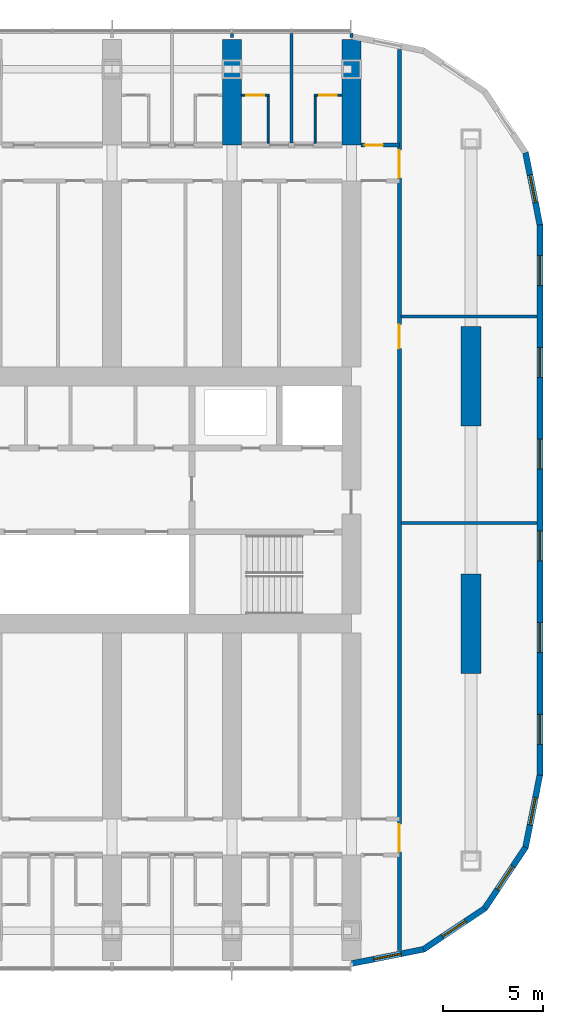
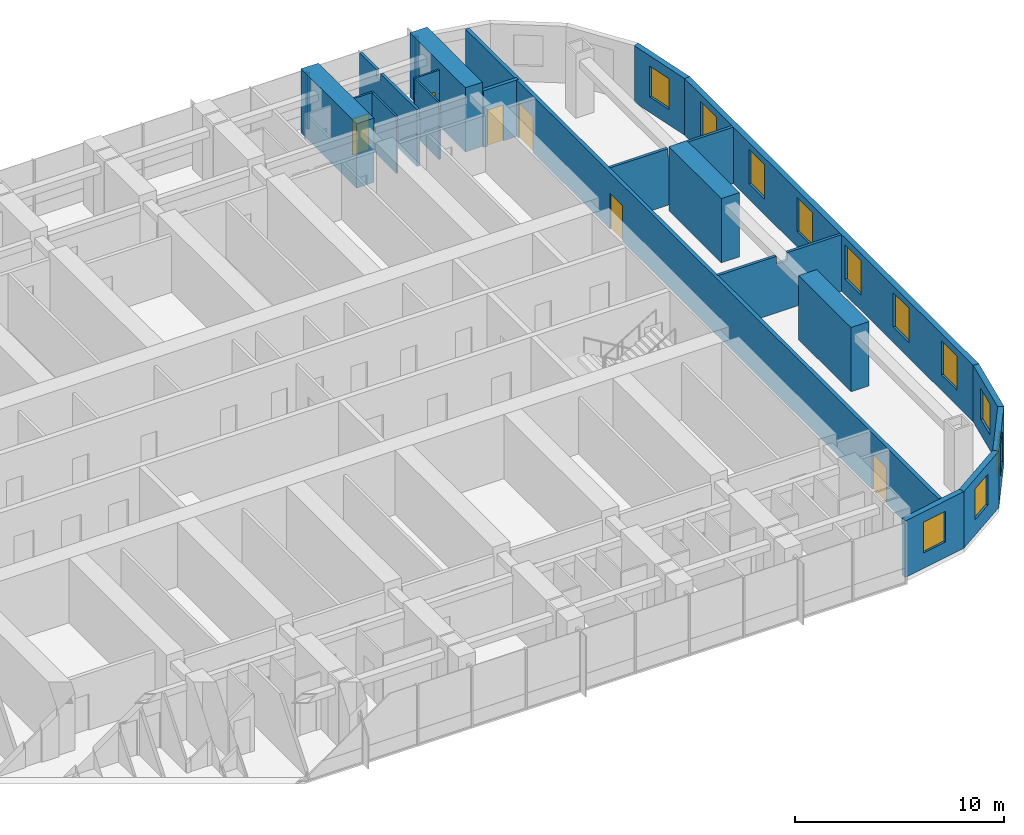
# One storey, part 16 of 22: 21 walls, 11 windows, 6 doors, 17 openings.
"""IFC4 building model written with IfcOpenShell, lengths in metres."""

from ifc_helpers import new_model, si_unit, direction, frame, frame_2d, origin, place, context, subcontext, project, spatial, polyline, rectangle, outline, extrude, material, layer, layer_set, type_object, element, fill, save


model = new_model("IFC4")

# Units and contexts
model_context = context("Model", 3, precision=1e-05, world=origin(), true_north=direction((0.0, 1.0)))
body_context = subcontext(model_context, "Body", "Model", "MODEL_VIEW")
ifc_project = project(units=[si_unit("LENGTHUNIT", "METRE"), si_unit("AREAUNIT", "SQUARE_METRE"), si_unit("VOLUMEUNIT", "CUBIC_METRE"), si_unit("PLANEANGLEUNIT", "RADIAN"), si_unit("MASSUNIT", "GRAM", prefix="KILO")], contexts=[model_context])

# Site, building, storey
site_placement = place(None, origin())
site = spatial("IfcSite", under=ifc_project, at=site_placement, CompositionType="ELEMENT")
building_placement = place(site_placement, origin())
building = spatial("IfcBuilding", under=site, at=building_placement, Name="Orbita Commons", CompositionType="ELEMENT")
storey_placement = place(building_placement, frame((0.0, 0.0, 80.64990234375)))
storey = spatial("IfcBuildingStorey", under=building, at=storey_placement, Name="L19", CompositionType="ELEMENT", Elevation=80.64990234375)

# Wall, opening, door
ifc_material_1 = material(Name="Concrete blockwork", Category="masonry")
ifc_layer_1 = layer(ifc_material_1, 0.199951171875)
ifc_layer_set_1 = layer_set([ifc_layer_1], Name="Concrete blockwork")
wall_type_1 = type_object("IfcWallType", Name="Corridor wall 200 blockwork", PredefinedType="SOLIDWALL", material=ifc_layer_set_1)
wall_1_placement = place(storey_placement, frame((66.47509765625, 49.800048828125, 0.0), z_axis=(0.0, 0.0, 1.0), x_axis=(1.0, 0.0, 0.0)))
wall_1 = element("IfcWall", 1, at=wall_1_placement, inside=storey, type_object=wall_type_1, Name="Corridor wall 200 blockwork L19", PredefinedType="SOLIDWALL", context=body_context, shape_type="SweptSolid", body=[
    extrude(rectangle(XDim=1.9248046875, YDim=0.199951171875, at=frame_2d((0.96240234375, 0.0))), origin(), (0.0, 0.0, 1.0), 3.300048828125),
])
opening_1_placement = place(wall_1_placement, frame((0.199951171875, 0.0, 0.0)))
opening_1 = element("IfcOpeningElement", 2, at=opening_1_placement, cuts=wall_1, Name="Opening D05", PredefinedType="OPENING", context=body_context, shape_type="SweptSolid", body=[
    extrude(rectangle(XDim=0.89990234375, YDim=2.10009765625, at=frame_2d((0.449951171875, 1.050048828125))), frame((0.0, 0.10986328125, 0.0), z_axis=(0.0, -1.0, 0.0), x_axis=(1.0, 0.0, 0.0)), (0.0, 0.0, 1.0), 0.219970703125),
])
ifc_material_2 = material(Name="Steel-faced fire door leaf", Category="steel")
door_type_1 = type_object("IfcDoorType", Name="Service door 20 min 900x2100", OperationType="SINGLE_SWING_LEFT", PredefinedType="DOOR", material=ifc_material_2)
door_1_placement = place(opening_1_placement, origin())
door_1 = element("IfcDoor", 3, at=door_1_placement, inside=storey, type_object=door_type_1, Name="Linen store L19-KEN door", OperationType="SINGLE_SWING_LEFT", OverallHeight=2.10009765625, OverallWidth=0.89990234375, PredefinedType="DOOR", context=body_context, shape_type="SweptSolid", body=[
    extrude(rectangle(XDim=0.89990234375, YDim=2.10009765625, at=frame_2d((0.449951171875, 1.050048828125))), frame((0.0, 0.02490234375, 0.0), z_axis=(0.0, -1.0, 0.0), x_axis=(1.0, 0.0, 0.0)), (0.0, 0.0, 1.0), 0.050048828125),
])
fill(opening_1, door_1)

# Wall, openings, doors
wall_2_placement = place(storey_placement, frame((68.39990234375, 9.4052734375, 0.0), z_axis=(0.0, 0.0, 1.0), x_axis=(0.0, 1.0, 0.0)))
wall_2 = element("IfcWall", 4, at=wall_2_placement, inside=storey, type_object=wall_type_1, Name="Corridor wall 200 blockwork L19", PredefinedType="SOLIDWALL", context=body_context, shape_type="SweptSolid", body=[
    extrude(rectangle(XDim=45.189453125, YDim=0.199951171875, at=frame_2d((22.5947265625, 0.0))), origin(), (0.0, 0.0, 1.0), 3.300048828125),
])
opening_2_placement = place(wall_2_placement, frame((30.19482421875, 0.0, 0.0)))
opening_2 = element("IfcOpeningElement", 5, at=opening_2_placement, cuts=wall_2, Name="Opening D15", PredefinedType="OPENING", context=body_context, shape_type="SweptSolid", body=[
    extrude(rectangle(XDim=1.199951171875, YDim=2.10009765625, at=frame_2d((0.60009765625, 1.050048828125))), frame((0.0, 0.10986328125, 0.0), z_axis=(0.0, -1.0, 0.0), x_axis=(1.0, 0.0, 0.0)), (0.0, 0.0, 1.0), 0.219970703125),
])
opening_3_placement = place(wall_2_placement, frame((4.94482421875, 0.0, 0.0)))
opening_3 = element("IfcOpeningElement", 6, at=opening_3_placement, cuts=wall_2, Name="Opening D08", PredefinedType="OPENING", context=body_context, shape_type="SweptSolid", body=[
    extrude(rectangle(XDim=1.39990234375, YDim=2.10009765625, at=frame_2d((0.699951171875, 1.050048828125))), frame((0.0, 0.10986328125, 0.0), z_axis=(0.0, -1.0, 0.0), x_axis=(1.0, 0.0, 0.0)), (0.0, 0.0, 1.0), 0.219970703125),
])
opening_4_placement = place(wall_2_placement, frame((38.74462890625, 0.0, 0.0)))
opening_4 = element("IfcOpeningElement", 7, at=opening_4_placement, cuts=wall_2, Name="Opening D08", PredefinedType="OPENING", context=body_context, shape_type="SweptSolid", body=[
    extrude(rectangle(XDim=1.39990234375, YDim=2.10009765625, at=frame_2d((0.699951171875, 1.050048828125))), frame((0.0, 0.10986328125, 0.0), z_axis=(0.0, -1.0, 0.0), x_axis=(1.0, 0.0, 0.0)), (0.0, 0.0, 1.0), 0.219970703125),
])
ifc_material_3 = material(Name="Steel-faced fire door leaf", Category="steel")
door_type_2 = type_object("IfcDoorType", Name="Corridor door 20 min 1200x2100", OperationType="SINGLE_SWING_LEFT", PredefinedType="DOOR", material=ifc_material_3)
door_2_placement = place(opening_2_placement, origin())
door_2 = element("IfcDoor", 8, at=door_2_placement, inside=storey, type_object=door_type_2, Name="Study hall door", OperationType="SINGLE_SWING_LEFT", OverallHeight=2.10009765625, OverallWidth=1.199951171875, PredefinedType="DOOR", context=body_context, shape_type="SweptSolid", body=[
    extrude(rectangle(XDim=1.199951171875, YDim=2.10009765625, at=frame_2d((0.60009765625, 1.050048828125))), frame((0.0, 0.02490234375, 0.0), z_axis=(0.0, -1.0, 0.0), x_axis=(1.0, 0.0, 0.0)), (0.0, 0.0, 1.0), 0.050048828125),
])
fill(opening_2, door_2)
ifc_material_4 = material(Name="Steel-faced fire door leaf", Category="steel")
door_type_3 = type_object("IfcDoorType", Name="Double corridor door 20 min 1400x2100", OperationType="DOUBLE_DOOR_SINGLE_SWING", PredefinedType="DOOR", material=ifc_material_4)
door_3_placement = place(opening_3_placement, origin())
door_3 = element("IfcDoor", 9, at=door_3_placement, inside=storey, type_object=door_type_3, Name="Lounge doors", OperationType="DOUBLE_DOOR_SINGLE_SWING", OverallHeight=2.10009765625, OverallWidth=1.39990234375, PredefinedType="DOOR", context=body_context, shape_type="SweptSolid", body=[
    extrude(rectangle(XDim=1.39990234375, YDim=2.10009765625, at=frame_2d((0.699951171875, 1.050048828125))), frame((0.0, 0.02490234375, 0.0), z_axis=(0.0, -1.0, 0.0), x_axis=(1.0, 0.0, 0.0)), (0.0, 0.0, 1.0), 0.050048828125),
])
fill(opening_3, door_3)
door_4_placement = place(opening_4_placement, origin())
door_4 = element("IfcDoor", 10, at=door_4_placement, inside=storey, type_object=door_type_3, Name="Lounge doors", OperationType="DOUBLE_DOOR_SINGLE_SWING", OverallHeight=2.10009765625, OverallWidth=1.39990234375, PredefinedType="DOOR", context=body_context, shape_type="SweptSolid", body=[
    extrude(rectangle(XDim=1.39990234375, YDim=2.10009765625, at=frame_2d((0.699951171875, 1.050048828125))), frame((0.0, 0.02490234375, 0.0), z_axis=(0.0, -1.0, 0.0), x_axis=(1.0, 0.0, 0.0)), (0.0, 0.0, 1.0), 0.050048828125),
])
fill(opening_4, door_4)

# Walls
ifc_material_5 = material(Name="Concrete C50/60", Category="concrete")
ifc_layer_2 = layer(ifc_material_5, 0.949951171875)
ifc_layer_set_2 = layer_set([ifc_layer_2], Name="Concrete C50/60")
wall_type_2 = type_object("IfcWallType", Name="Cross wall 950 C50/60", PredefinedType="SHEAR", material=ifc_layer_set_2)
for number, where, z_axis, x_axis, name in (
    (11, (60.0, 49.800048828125, 0.0), (0.0, 0.0, 1.0), (0.0, 1.0, 0.0), "Cross wall 11 north outer L19"),
    (12, (66.0, 49.800048828125, 0.0), (0.0, 0.0, 1.0), (0.0, 1.0, 0.0), "Cross wall 12 north outer L19"),
):
    element("IfcWall", number, at=place(storey_placement, frame(where, z_axis=z_axis, x_axis=x_axis)), inside=storey, type_object=wall_type_2, Name=name, PredefinedType="SHEAR", context=body_context, shape_type="SweptSolid", body=[
        extrude(rectangle(XDim=5.300048828125, YDim=0.949951171875, at=frame_2d((2.64990234375, 0.0))), origin(), (0.0, 0.0, 1.0), 3.75),
    ])

# Wall, opening, door
ifc_material_6 = material(Name="Moisture-resistant plasterboard on steel studs", Category="steel")
ifc_layer_3 = layer(ifc_material_6, 0.10009765625)
ifc_layer_set_3 = layer_set([ifc_layer_3], Name="Moisture-resistant plasterboard on steel studs")
wall_type_3 = type_object("IfcWallType", Name="En-suite partition 100", PredefinedType="PARTITIONING", material=ifc_layer_set_3)
wall_3_placement = place(storey_placement, frame((60.47509765625, 52.300048828125, 0.0), z_axis=(0.0, 0.0, 1.0), x_axis=(1.0, 0.0, 0.0)))
wall_3 = element("IfcWall", 13, at=wall_3_placement, inside=storey, type_object=wall_type_3, Name="En-suite partition 100 L19", PredefinedType="PARTITIONING", context=body_context, shape_type="SweptSolid", body=[
    extrude(rectangle(XDim=1.39990234375, YDim=0.10009765625, at=frame_2d((0.699951171875, 0.0))), origin(), (0.0, 0.0, 1.0), 3.300048828125),
])
opening_5_placement = place(wall_3_placement, frame((0.25, 0.0, 0.0)))
opening_5 = element("IfcOpeningElement", 14, at=opening_5_placement, cuts=wall_3, Name="Opening D09", PredefinedType="OPENING", context=body_context, shape_type="SweptSolid", body=[
    extrude(rectangle(XDim=0.89990234375, YDim=2.10009765625, at=frame_2d((0.449951171875, 1.050048828125))), frame((0.0, 0.06005859375, 0.0), z_axis=(0.0, -1.0, 0.0), x_axis=(1.0, 0.0, 0.0)), (0.0, 0.0, 1.0), 0.1201171875),
])
ifc_material_7 = material(Name="Laminated timber door leaf", Category="wood")
door_type_4 = type_object("IfcDoorType", Name="En-suite door 900x2100", OperationType="SINGLE_SWING_RIGHT", PredefinedType="DOOR", material=ifc_material_7)
door_5_placement = place(opening_5_placement, origin())
door_5 = element("IfcDoor", 15, at=door_5_placement, inside=storey, type_object=door_type_4, Name="En-suite L19-N16 door", OperationType="SINGLE_SWING_RIGHT", OverallHeight=2.10009765625, OverallWidth=0.89990234375, PredefinedType="DOOR", context=body_context, shape_type="SweptSolid", body=[
    extrude(rectangle(XDim=0.89990234375, YDim=2.10009765625, at=frame_2d((0.449951171875, 1.050048828125))), frame((0.0, 0.02490234375, 0.0), z_axis=(0.0, -1.0, 0.0), x_axis=(1.0, 0.0, 0.0)), (0.0, 0.0, 1.0), 0.050048828125),
])
fill(opening_5, door_5)

# Wall
wall_4_placement = place(storey_placement, frame((61.824951171875, 52.25, 0.0), z_axis=(0.0, 0.0, 1.0), x_axis=(0.0, -1.0, 0.0)))
element("IfcWall", 16, at=wall_4_placement, inside=storey, type_object=wall_type_3, Name="En-suite partition 100 L19", PredefinedType="PARTITIONING", context=body_context, shape_type="SweptSolid", body=[
    extrude(outline(polyline([(0.0, 0.0), (2.35009765625, 0.0), (2.35009765625, 2.900146484375), (2.302001953125, 2.900146484375), (2.300048828125, 3.300048828125), (0.0, 3.300048828125), (0.0, 0.0)])), frame((0.0, 0.050048828125, 0.0), z_axis=(0.0, -1.0, 0.0), x_axis=(1.0, 0.0, 0.0)), (0.0, 0.0, 1.0), 0.10009765625),
])

# Wall, opening, door
wall_5_placement = place(storey_placement, frame((64.125, 52.300048828125, 0.0), z_axis=(0.0, 0.0, 1.0), x_axis=(1.0, 0.0, 0.0)))
wall_5 = element("IfcWall", 17, at=wall_5_placement, inside=storey, type_object=wall_type_3, Name="En-suite partition 100 L19", PredefinedType="PARTITIONING", context=body_context, shape_type="SweptSolid", body=[
    extrude(rectangle(XDim=1.39990234375, YDim=0.10009765625, at=frame_2d((0.699951171875, 0.0))), origin(), (0.0, 0.0, 1.0), 3.300048828125),
])
opening_6_placement = place(wall_5_placement, frame((0.25, 0.0, 0.0)))
opening_6 = element("IfcOpeningElement", 18, at=opening_6_placement, cuts=wall_5, Name="Opening D09", PredefinedType="OPENING", context=body_context, shape_type="SweptSolid", body=[
    extrude(rectangle(XDim=0.89990234375, YDim=2.10009765625, at=frame_2d((0.449951171875, 1.050048828125))), frame((0.0, 0.06005859375, 0.0), z_axis=(0.0, -1.0, 0.0), x_axis=(1.0, 0.0, 0.0)), (0.0, 0.0, 1.0), 0.1201171875),
])
door_6_placement = place(opening_6_placement, origin())
door_6 = element("IfcDoor", 19, at=door_6_placement, inside=storey, type_object=door_type_4, Name="En-suite L19-N17 door", OperationType="SINGLE_SWING_RIGHT", OverallHeight=2.10009765625, OverallWidth=0.89990234375, PredefinedType="DOOR", context=body_context, shape_type="SweptSolid", body=[
    extrude(rectangle(XDim=0.89990234375, YDim=2.10009765625, at=frame_2d((0.449951171875, 1.050048828125))), frame((0.0, 0.02490234375, 0.0), z_axis=(0.0, -1.0, 0.0), x_axis=(1.0, 0.0, 0.0)), (0.0, 0.0, 1.0), 0.050048828125),
])
fill(opening_6, door_6)

# Walls
wall_6_placement = place(storey_placement, frame((64.175048828125, 52.25, 0.0), z_axis=(0.0, 0.0, 1.0), x_axis=(0.0, -1.0, 0.0)))
element("IfcWall", 20, at=wall_6_placement, inside=storey, type_object=wall_type_3, Name="En-suite partition 100 L19", PredefinedType="PARTITIONING", context=body_context, shape_type="SweptSolid", body=[
    extrude(outline(polyline([(0.0, 0.0), (2.35009765625, 0.0), (2.35009765625, 2.900146484375), (2.302001953125, 2.900146484375), (2.300048828125, 3.300048828125), (0.0, 3.300048828125), (0.0, 0.0)])), frame((0.0, 0.050048828125, 0.0), z_axis=(0.0, -1.0, 0.0), x_axis=(1.0, 0.0, 0.0)), (0.0, 0.0, 1.0), 0.10009765625),
])
ifc_material_8 = material(Name="Concrete C50/60", Category="concrete")
ifc_layer_4 = layer(ifc_material_8, 1.0)
ifc_layer_set_4 = layer_set([ifc_layer_4], Name="Concrete C50/60")
wall_type_4 = type_object("IfcWallType", Name="End pier 1000x5000 C50/60", PredefinedType="SHEAR", material=ifc_layer_set_4)
for number, where, z_axis, x_axis, name in (
    (21, (72.0, 23.300048828125, 0.0), (0.0, 0.0, 1.0), (0.0, 1.0, 0.0), "End pier 13/C L19"),
    (22, (72.0, 35.699951171875, 0.0), (0.0, 0.0, 1.0), (0.0, 1.0, 0.0), "End pier 13/D L19"),
):
    element("IfcWall", number, at=place(storey_placement, frame(where, z_axis=z_axis, x_axis=x_axis)), inside=storey, type_object=wall_type_4, Name=name, PredefinedType="SHEAR", context=body_context, shape_type="SweptSolid", body=[
        extrude(rectangle(XDim=5.0, YDim=1.0, at=frame_2d((2.5, 0.0))), origin(), (0.0, 0.0, 1.0), 3.75),
    ])
ifc_material_9 = material(Name="Gypsum plasterboard on steel studs", Category="steel")
ifc_layer_5 = layer(ifc_material_9, 0.14990234375)
ifc_layer_set_5 = layer_set([ifc_layer_5], Name="Gypsum plasterboard on steel studs")
wall_type_5 = type_object("IfcWallType", Name="Partition 150 plasterboard", PredefinedType="PARTITIONING", material=ifc_layer_set_5)
for number, where, z_axis, x_axis, name in (
    (23, (68.47509765625, 30.85009765625, 0.0), (0.0, 0.0, 1.0), (1.0, 0.0, 0.0), "Partition 150 plasterboard L19"),
    (24, (68.47509765625, 41.199951171875, 0.0), (0.0, 0.0, 1.0), (1.0, 0.0, 0.0), "Partition 150 plasterboard L19"),
):
    element("IfcWall", number, at=place(storey_placement, frame(where, z_axis=z_axis, x_axis=x_axis)), inside=storey, type_object=wall_type_5, Name=name, PredefinedType="PARTITIONING", context=body_context, shape_type="SweptSolid", body=[
        extrude(outline(polyline([(0.0, 0.0), (6.81982421875, 0.0), (6.820068359375, 3.300048828125), (3.826904296875, 3.300048828125), (3.824951171875, 2.85009765625), (3.22705078125, 2.85009765625), (3.22509765625, 3.300048828125), (0.0, 3.300048828125), (0.0, 0.0)])), frame((0.0, 0.074951171875, 0.0), z_axis=(0.0, -1.0, 0.0), x_axis=(1.0, 0.0, 0.0)), (0.0, 0.0, 1.0), 0.14990234375),
    ])
wall_7_placement = place(storey_placement, frame((60.0, 55.199951171875, 0.0), z_axis=(0.0, 0.0, 1.0), x_axis=(0.0, 1.0, 0.0)))
element("IfcWall", 25, at=wall_7_placement, inside=storey, type_object=wall_type_5, Name="Partition 150 plasterboard L19", PredefinedType="PARTITIONING", context=body_context, shape_type="SweptSolid", body=[
    extrude(rectangle(XDim=0.18994140625, YDim=0.14990234375, at=frame_2d((0.094970703125, 0.0))), origin(), (0.0, 0.0, 1.0), 3.300048828125),
])
wall_8_placement = place(storey_placement, frame((66.0, 55.199951171875, 0.0), z_axis=(0.0, 0.0, 1.0), x_axis=(0.0, 1.0, 0.0)))
element("IfcWall", 26, at=wall_8_placement, inside=storey, type_object=wall_type_5, Name="Partition 150 plasterboard L19", PredefinedType="PARTITIONING", context=body_context, shape_type="SweptSolid", body=[
    extrude(rectangle(XDim=0.219970703125, YDim=0.14990234375, at=frame_2d((0.10986328125, 0.0))), origin(), (0.0, 0.0, 1.0), 3.300048828125),
])
ifc_material_10 = material(Name="Gypsum plasterboard on steel studs", Category="steel")
ifc_layer_6 = layer(ifc_material_10, 0.14990234375)
ifc_layer_set_6 = layer_set([ifc_layer_6], Name="Gypsum plasterboard on steel studs")
wall_type_6 = type_object("IfcWallType", Name="Party wall 150 plasterboard", PredefinedType="PARTITIONING", material=ifc_layer_set_6)
wall_9_placement = place(storey_placement, frame((63.0, 55.389892578125, 0.0), z_axis=(0.0, 0.0, 1.0), x_axis=(0.0, -1.0, 0.0)))
element("IfcWall", 27, at=wall_9_placement, inside=storey, type_object=wall_type_6, Name="Party wall 150 plasterboard L19", PredefinedType="PARTITIONING", context=body_context, shape_type="SweptSolid", body=[
    extrude(outline(polyline([(0.0, 0.0), (5.489990234375, 0.0), (5.489990234375, 2.900146484375), (5.44189453125, 2.900146484375), (5.43994140625, 3.300048828125), (1.991943359375, 3.300048828125), (1.989990234375, 2.900146484375), (1.592041015625, 2.900146484375), (1.590087890625, 3.300048828125), (0.0, 3.300048828125), (0.0, 0.0)])), frame((0.0, 0.074951171875, 0.0), z_axis=(0.0, -1.0, 0.0), x_axis=(1.0, 0.0, 0.0)), (0.0, 0.0, 1.0), 0.14990234375),
])

# Wall, openings, windows
ifc_material_11 = material(Name="Precast concrete C40/50, white board-marked finish", Category="concrete")
ifc_layer_7 = layer(ifc_material_11, 0.300048828125)
ifc_layer_set_7 = layer_set([ifc_layer_7], Name="Precast concrete C40/50, white board-marked finish")
wall_type_7 = type_object("IfcWallType", Name="Precast concrete end shield 300", PredefinedType="SOLIDWALL", material=ifc_layer_set_7)
wall_10_placement = place(storey_placement, frame((75.449951171875, 18.199951171875, 0.0), z_axis=(0.0, 0.0, 1.0), x_axis=(0.0, 1.0, 0.0)))
wall_10 = element("IfcWall", 28, at=wall_10_placement, inside=storey, type_object=wall_type_7, Name="End shield E L19", PredefinedType="SOLIDWALL", context=body_context, shape_type="SweptSolid", body=[
    extrude(outline(polyline([(-0.014892578125, -0.14990234375), (27.614990234375, -0.14990234375), (27.585205078125, 0.14990234375), (0.014892578125, 0.14990234375), (-0.014892578125, -0.14990234375)])), origin(), (0.0, 0.0, 1.0), 3.300048828125),
])
opening_7_placement = place(wall_10_placement, frame((1.550048828125, 0.0, 0.89990234375)))
opening_7 = element("IfcOpeningElement", 29, at=opening_7_placement, cuts=wall_10, Name="Opening W01", PredefinedType="OPENING", context=body_context, shape_type="SweptSolid", body=[
    extrude(rectangle(XDim=1.5, YDim=2.0, at=frame_2d((0.75, 1.0))), frame((0.0, 0.159912109375, 0.0), z_axis=(0.0, -1.0, 0.0), x_axis=(1.0, 0.0, 0.0)), (0.0, 0.0, 1.0), 0.320068359375),
])
opening_8_placement = place(wall_10_placement, frame((6.14990234375, 0.0, 0.89990234375)))
opening_8 = element("IfcOpeningElement", 30, at=opening_8_placement, cuts=wall_10, Name="Opening W01", PredefinedType="OPENING", context=body_context, shape_type="SweptSolid", body=[
    extrude(rectangle(XDim=1.5, YDim=2.0, at=frame_2d((0.75, 1.0))), frame((0.0, 0.159912109375, 0.0), z_axis=(0.0, -1.0, 0.0), x_axis=(1.0, 0.0, 0.0)), (0.0, 0.0, 1.0), 0.320068359375),
])
opening_9_placement = place(wall_10_placement, frame((10.75, 0.0, 0.89990234375)))
opening_9 = element("IfcOpeningElement", 31, at=opening_9_placement, cuts=wall_10, Name="Opening W01", PredefinedType="OPENING", context=body_context, shape_type="SweptSolid", body=[
    extrude(rectangle(XDim=1.5, YDim=2.0, at=frame_2d((0.75, 1.0))), frame((0.0, 0.159912109375, 0.0), z_axis=(0.0, -1.0, 0.0), x_axis=(1.0, 0.0, 0.0)), (0.0, 0.0, 1.0), 0.320068359375),
])
opening_10_placement = place(wall_10_placement, frame((15.35009765625, 0.0, 0.89990234375)))
opening_10 = element("IfcOpeningElement", 32, at=opening_10_placement, cuts=wall_10, Name="Opening W01", PredefinedType="OPENING", context=body_context, shape_type="SweptSolid", body=[
    extrude(rectangle(XDim=1.5, YDim=2.0, at=frame_2d((0.75, 1.0))), frame((0.0, 0.159912109375, 0.0), z_axis=(0.0, -1.0, 0.0), x_axis=(1.0, 0.0, 0.0)), (0.0, 0.0, 1.0), 0.320068359375),
])
opening_11_placement = place(wall_10_placement, frame((19.949951171875, 0.0, 0.89990234375)))
opening_11 = element("IfcOpeningElement", 33, at=opening_11_placement, cuts=wall_10, Name="Opening W01", PredefinedType="OPENING", context=body_context, shape_type="SweptSolid", body=[
    extrude(rectangle(XDim=1.5, YDim=2.0, at=frame_2d((0.75, 1.0))), frame((0.0, 0.159912109375, 0.0), z_axis=(0.0, -1.0, 0.0), x_axis=(1.0, 0.0, 0.0)), (0.0, 0.0, 1.0), 0.320068359375),
])
opening_12_placement = place(wall_10_placement, frame((24.550048828125, 0.0, 0.89990234375)))
opening_12 = element("IfcOpeningElement", 34, at=opening_12_placement, cuts=wall_10, Name="Opening W01", PredefinedType="OPENING", context=body_context, shape_type="SweptSolid", body=[
    extrude(rectangle(XDim=1.5, YDim=2.0, at=frame_2d((0.75, 1.0))), frame((0.0, 0.159912109375, 0.0), z_axis=(0.0, -1.0, 0.0), x_axis=(1.0, 0.0, 0.0)), (0.0, 0.0, 1.0), 0.320068359375),
])
ifc_material_12 = material(Name="Aluminium frame, clear double glazing", Category="aluminium")
window_type_1 = type_object("IfcWindowType", Name="Deep-set window 1500x2000", PartitioningType="SINGLE_PANEL", PredefinedType="WINDOW", material=ifc_material_12)
window_1_placement = place(opening_7_placement, origin())
window_1 = element("IfcWindow", 35, at=window_1_placement, inside=storey, type_object=window_type_1, Name="Window L19-E 1", OverallHeight=2.0, OverallWidth=1.5, PartitioningType="SINGLE_PANEL", PredefinedType="WINDOW", context=body_context, shape_type="SweptSolid", body=[
    extrude(rectangle(XDim=1.5, YDim=2.0, at=frame_2d((0.75, 1.0))), frame((0.0, 0.030029296875, 0.0), z_axis=(0.0, -1.0, 0.0), x_axis=(1.0, 0.0, 0.0)), (0.0, 0.0, 1.0), 0.06005859375),
])
fill(opening_7, window_1)
window_2_placement = place(opening_8_placement, origin())
window_2 = element("IfcWindow", 36, at=window_2_placement, inside=storey, type_object=window_type_1, Name="Window L19-E 2", OverallHeight=2.0, OverallWidth=1.5, PartitioningType="SINGLE_PANEL", PredefinedType="WINDOW", context=body_context, shape_type="SweptSolid", body=[
    extrude(rectangle(XDim=1.5, YDim=2.0, at=frame_2d((0.75, 1.0))), frame((0.0, 0.030029296875, 0.0), z_axis=(0.0, -1.0, 0.0), x_axis=(1.0, 0.0, 0.0)), (0.0, 0.0, 1.0), 0.06005859375),
])
fill(opening_8, window_2)
window_3_placement = place(opening_9_placement, origin())
window_3 = element("IfcWindow", 37, at=window_3_placement, inside=storey, type_object=window_type_1, Name="Window L19-E 3", OverallHeight=2.0, OverallWidth=1.5, PartitioningType="SINGLE_PANEL", PredefinedType="WINDOW", context=body_context, shape_type="SweptSolid", body=[
    extrude(rectangle(XDim=1.5, YDim=2.0, at=frame_2d((0.75, 1.0))), frame((0.0, 0.030029296875, 0.0), z_axis=(0.0, -1.0, 0.0), x_axis=(1.0, 0.0, 0.0)), (0.0, 0.0, 1.0), 0.06005859375),
])
fill(opening_9, window_3)
window_4_placement = place(opening_10_placement, origin())
window_4 = element("IfcWindow", 38, at=window_4_placement, inside=storey, type_object=window_type_1, Name="Window L19-E 4", OverallHeight=2.0, OverallWidth=1.5, PartitioningType="SINGLE_PANEL", PredefinedType="WINDOW", context=body_context, shape_type="SweptSolid", body=[
    extrude(rectangle(XDim=1.5, YDim=2.0, at=frame_2d((0.75, 1.0))), frame((0.0, 0.030029296875, 0.0), z_axis=(0.0, -1.0, 0.0), x_axis=(1.0, 0.0, 0.0)), (0.0, 0.0, 1.0), 0.06005859375),
])
fill(opening_10, window_4)
window_5_placement = place(opening_11_placement, origin())
window_5 = element("IfcWindow", 39, at=window_5_placement, inside=storey, type_object=window_type_1, Name="Window L19-E 5", OverallHeight=2.0, OverallWidth=1.5, PartitioningType="SINGLE_PANEL", PredefinedType="WINDOW", context=body_context, shape_type="SweptSolid", body=[
    extrude(rectangle(XDim=1.5, YDim=2.0, at=frame_2d((0.75, 1.0))), frame((0.0, 0.030029296875, 0.0), z_axis=(0.0, -1.0, 0.0), x_axis=(1.0, 0.0, 0.0)), (0.0, 0.0, 1.0), 0.06005859375),
])
fill(opening_11, window_5)
window_6_placement = place(opening_12_placement, origin())
window_6 = element("IfcWindow", 40, at=window_6_placement, inside=storey, type_object=window_type_1, Name="Window L19-E 6", OverallHeight=2.0, OverallWidth=1.5, PartitioningType="SINGLE_PANEL", PredefinedType="WINDOW", context=body_context, shape_type="SweptSolid", body=[
    extrude(rectangle(XDim=1.5, YDim=2.0, at=frame_2d((0.75, 1.0))), frame((0.0, 0.030029296875, 0.0), z_axis=(0.0, -1.0, 0.0), x_axis=(1.0, 0.0, 0.0)), (0.0, 0.0, 1.0), 0.06005859375),
])
fill(opening_12, window_6)

# Wall, opening, window
wall_11_placement = place(storey_placement, frame((66.0, 8.75, 0.0), z_axis=(0.0, 0.0, 1.0), x_axis=(0.980791473772, 0.195059183267, 0.0)))
wall_11 = element("IfcWall", 41, at=wall_11_placement, inside=storey, type_object=wall_type_7, Name="End shield SE chord 1 L19", PredefinedType="SOLIDWALL", context=body_context, shape_type="SweptSolid", body=[
    extrude(outline(polyline([(-0.02978515625, -0.14990234375), (3.717041015625, -0.14990234375), (3.657470703125, 0.14990234375), (0.02978515625, 0.14990234375), (-0.02978515625, -0.14990234375)])), origin(), (0.0, 0.0, 1.0), 3.300048828125),
])
opening_13_placement = place(wall_11_placement, frame((1.1435546875, 0.0, 0.89990234375)))
opening_13 = element("IfcOpeningElement", 42, at=opening_13_placement, cuts=wall_11, Name="Opening W02", PredefinedType="OPENING", context=body_context, shape_type="SweptSolid", body=[
    extrude(rectangle(XDim=1.39990234375, YDim=1.800048828125, at=frame_2d((0.699951171875, 0.89990234375))), frame((0.0, 0.159912109375, 0.0), z_axis=(0.0, -1.0, 0.0), x_axis=(1.0, 0.0, 0.0)), (0.0, 0.0, 1.0), 0.320068359375),
])
ifc_material_13 = material(Name="Aluminium frame, clear double glazing", Category="aluminium")
window_type_2 = type_object("IfcWindowType", Name="Deep-set window 1400x1800", PartitioningType="SINGLE_PANEL", PredefinedType="WINDOW", material=ifc_material_13)
window_7_placement = place(opening_13_placement, origin())
window_7 = element("IfcWindow", 43, at=window_7_placement, inside=storey, type_object=window_type_2, Name="Window L19-SE0", OverallHeight=1.800048828125, OverallWidth=1.39990234375, PartitioningType="SINGLE_PANEL", PredefinedType="WINDOW", context=body_context, shape_type="SweptSolid", body=[
    extrude(rectangle(XDim=1.39990234375, YDim=1.800048828125, at=frame_2d((0.699951171875, 0.89990234375))), frame((0.0, 0.030029296875, 0.0), z_axis=(0.0, -1.0, 0.0), x_axis=(1.0, 0.0, 0.0)), (0.0, 0.0, 1.0), 0.06005859375),
])
fill(opening_13, window_7)

wall_12_placement = place(storey_placement, frame((69.616455078125, 9.46923828125, 0.0), z_axis=(0.0, 0.0, 1.0), x_axis=(0.831448786846, 0.555601399253, 0.0)))
wall_12 = element("IfcWall", 44, at=wall_12_placement, inside=storey, type_object=wall_type_7, Name="End shield SE chord 2 L19", PredefinedType="SOLIDWALL", context=body_context, shape_type="SweptSolid", body=[
    extrude(outline(polyline([(-0.02978515625, -0.14990234375), (3.717041015625, -0.14990234375), (3.657470703125, 0.14990234375), (0.02978515625, 0.14990234375), (-0.02978515625, -0.14990234375)])), origin(), (0.0, 0.0, 1.0), 3.300048828125),
])
opening_14_placement = place(wall_12_placement, frame((1.1435546875, 0.0, 0.89990234375)))
opening_14 = element("IfcOpeningElement", 45, at=opening_14_placement, cuts=wall_12, Name="Opening W02", PredefinedType="OPENING", context=body_context, shape_type="SweptSolid", body=[
    extrude(rectangle(XDim=1.39990234375, YDim=1.800048828125, at=frame_2d((0.699951171875, 0.89990234375))), frame((0.0, 0.159912109375, 0.0), z_axis=(0.0, -1.0, 0.0), x_axis=(1.0, 0.0, 0.0)), (0.0, 0.0, 1.0), 0.320068359375),
])
window_8_placement = place(opening_14_placement, origin())
window_8 = element("IfcWindow", 46, at=window_8_placement, inside=storey, type_object=window_type_2, Name="Window L19-SE1", OverallHeight=1.800048828125, OverallWidth=1.39990234375, PartitioningType="SINGLE_PANEL", PredefinedType="WINDOW", context=body_context, shape_type="SweptSolid", body=[
    extrude(rectangle(XDim=1.39990234375, YDim=1.800048828125, at=frame_2d((0.699951171875, 0.89990234375))), frame((0.0, 0.030029296875, 0.0), z_axis=(0.0, -1.0, 0.0), x_axis=(1.0, 0.0, 0.0)), (0.0, 0.0, 1.0), 0.06005859375),
])
fill(opening_14, window_8)

wall_13_placement = place(storey_placement, frame((72.68212890625, 11.517822265625, 0.0), z_axis=(0.0, 0.0, 1.0), x_axis=(0.555601399253, 0.831448786846, 0.0)))
wall_13 = element("IfcWall", 47, at=wall_13_placement, inside=storey, type_object=wall_type_7, Name="End shield SE chord 3 L19", PredefinedType="SOLIDWALL", context=body_context, shape_type="SweptSolid", body=[
    extrude(outline(polyline([(-0.02978515625, -0.14990234375), (3.717041015625, -0.14990234375), (3.657470703125, 0.14990234375), (0.02978515625, 0.14990234375), (-0.02978515625, -0.14990234375)])), origin(), (0.0, 0.0, 1.0), 3.300048828125),
])
opening_15_placement = place(wall_13_placement, frame((1.1435546875, 0.0, 0.89990234375)))
opening_15 = element("IfcOpeningElement", 48, at=opening_15_placement, cuts=wall_13, Name="Opening W02", PredefinedType="OPENING", context=body_context, shape_type="SweptSolid", body=[
    extrude(rectangle(XDim=1.39990234375, YDim=1.800048828125, at=frame_2d((0.699951171875, 0.89990234375))), frame((0.0, 0.159912109375, 0.0), z_axis=(0.0, -1.0, 0.0), x_axis=(1.0, 0.0, 0.0)), (0.0, 0.0, 1.0), 0.320068359375),
])
window_9_placement = place(opening_15_placement, origin())
window_9 = element("IfcWindow", 49, at=window_9_placement, inside=storey, type_object=window_type_2, Name="Window L19-SE2", OverallHeight=1.800048828125, OverallWidth=1.39990234375, PartitioningType="SINGLE_PANEL", PredefinedType="WINDOW", context=body_context, shape_type="SweptSolid", body=[
    extrude(rectangle(XDim=1.39990234375, YDim=1.800048828125, at=frame_2d((0.699951171875, 0.89990234375))), frame((0.0, 0.030029296875, 0.0), z_axis=(0.0, -1.0, 0.0), x_axis=(1.0, 0.0, 0.0)), (0.0, 0.0, 1.0), 0.06005859375),
])
fill(opening_15, window_9)

wall_14_placement = place(storey_placement, frame((74.730712890625, 14.58349609375, 0.0), z_axis=(0.0, 0.0, 1.0), x_axis=(0.195059183267, 0.980791473772, 0.0)))
wall_14 = element("IfcWall", 50, at=wall_14_placement, inside=storey, type_object=wall_type_7, Name="End shield SE chord 4 L19", PredefinedType="SOLIDWALL", context=body_context, shape_type="SweptSolid", body=[
    extrude(outline(polyline([(-0.02978515625, -0.14990234375), (3.7021484375, -0.14990234375), (3.67236328125, 0.14990234375), (0.02978515625, 0.14990234375), (-0.02978515625, -0.14990234375)])), origin(), (0.0, 0.0, 1.0), 3.300048828125),
])
opening_16_placement = place(wall_14_placement, frame((1.1435546875, 0.0, 0.89990234375)))
opening_16 = element("IfcOpeningElement", 51, at=opening_16_placement, cuts=wall_14, Name="Opening W02", PredefinedType="OPENING", context=body_context, shape_type="SweptSolid", body=[
    extrude(rectangle(XDim=1.39990234375, YDim=1.800048828125, at=frame_2d((0.699951171875, 0.89990234375))), frame((0.0, 0.159912109375, 0.0), z_axis=(0.0, -1.0, 0.0), x_axis=(1.0, 0.0, 0.0)), (0.0, 0.0, 1.0), 0.320068359375),
])
window_10_placement = place(opening_16_placement, origin())
window_10 = element("IfcWindow", 52, at=window_10_placement, inside=storey, type_object=window_type_2, Name="Window L19-SE3", OverallHeight=1.800048828125, OverallWidth=1.39990234375, PartitioningType="SINGLE_PANEL", PredefinedType="WINDOW", context=body_context, shape_type="SweptSolid", body=[
    extrude(rectangle(XDim=1.39990234375, YDim=1.800048828125, at=frame_2d((0.699951171875, 0.89990234375))), frame((0.0, 0.030029296875, 0.0), z_axis=(0.0, -1.0, 0.0), x_axis=(1.0, 0.0, 0.0)), (0.0, 0.0, 1.0), 0.06005859375),
])
fill(opening_16, window_10)

wall_15_placement = place(storey_placement, frame((75.449951171875, 45.800048828125, 0.0), z_axis=(0.0, 0.0, 1.0), x_axis=(-0.195059183267, 0.980791473772, 0.0)))
wall_15 = element("IfcWall", 53, at=wall_15_placement, inside=storey, type_object=wall_type_7, Name="End shield NE chord 1 L19", PredefinedType="SOLIDWALL", context=body_context, shape_type="SweptSolid", body=[
    extrude(outline(polyline([(-0.014892578125, -0.14990234375), (3.717041015625, -0.14990234375), (3.657470703125, 0.14990234375), (0.014892578125, 0.14990234375), (-0.014892578125, -0.14990234375)])), origin(), (0.0, 0.0, 1.0), 3.300048828125),
])
opening_17_placement = place(wall_15_placement, frame((1.1435546875, 0.0, 0.89990234375)))
opening_17 = element("IfcOpeningElement", 54, at=opening_17_placement, cuts=wall_15, Name="Opening W02", PredefinedType="OPENING", context=body_context, shape_type="SweptSolid", body=[
    extrude(rectangle(XDim=1.39990234375, YDim=1.800048828125, at=frame_2d((0.699951171875, 0.89990234375))), frame((0.0, 0.159912109375, 0.0), z_axis=(0.0, -1.0, 0.0), x_axis=(1.0, 0.0, 0.0)), (0.0, 0.0, 1.0), 0.320068359375),
])
window_11_placement = place(opening_17_placement, origin())
window_11 = element("IfcWindow", 55, at=window_11_placement, inside=storey, type_object=window_type_2, Name="Window L19-NE0", OverallHeight=1.800048828125, OverallWidth=1.39990234375, PartitioningType="SINGLE_PANEL", PredefinedType="WINDOW", context=body_context, shape_type="SweptSolid", body=[
    extrude(rectangle(XDim=1.39990234375, YDim=1.800048828125, at=frame_2d((0.699951171875, 0.89990234375))), frame((0.0, 0.030029296875, 0.0), z_axis=(0.0, -1.0, 0.0), x_axis=(1.0, 0.0, 0.0)), (0.0, 0.0, 1.0), 0.06005859375),
])
fill(opening_17, window_11)

save(model, "model.ifc")
